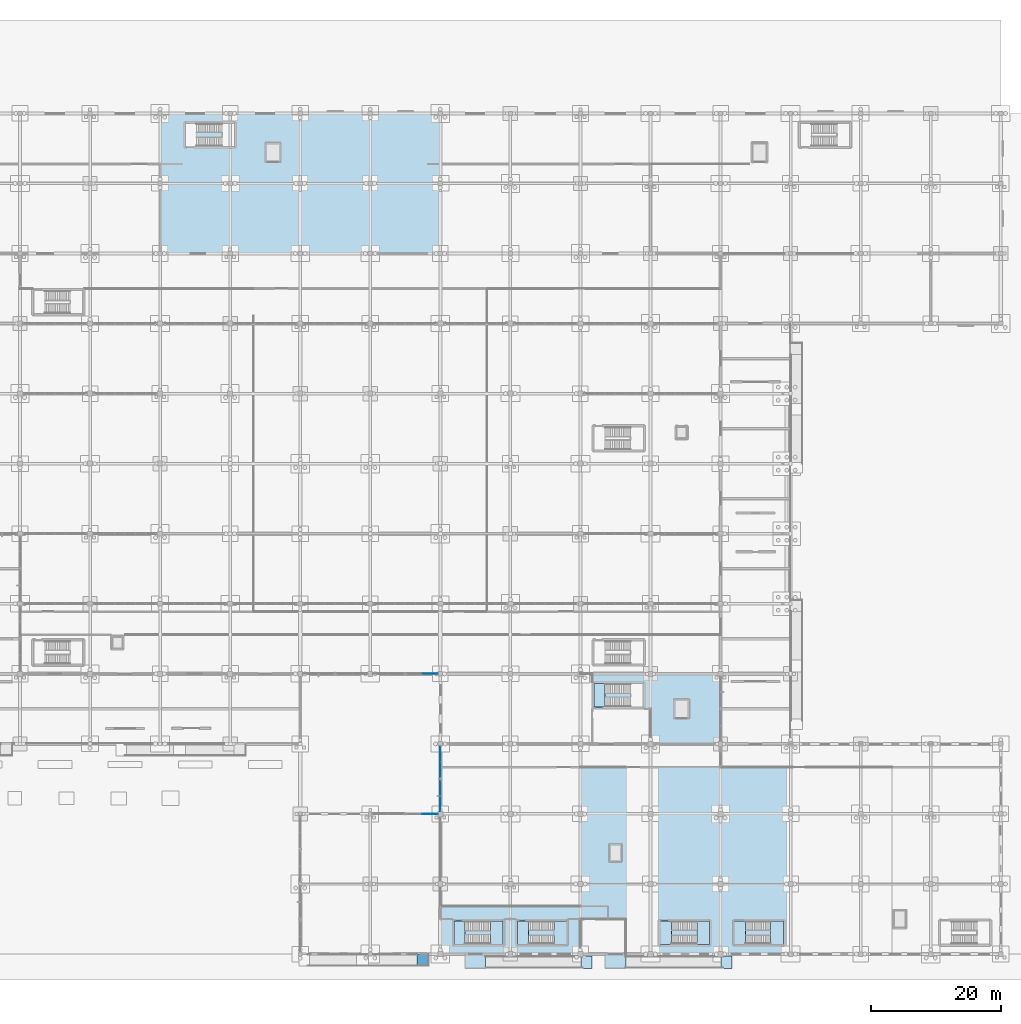
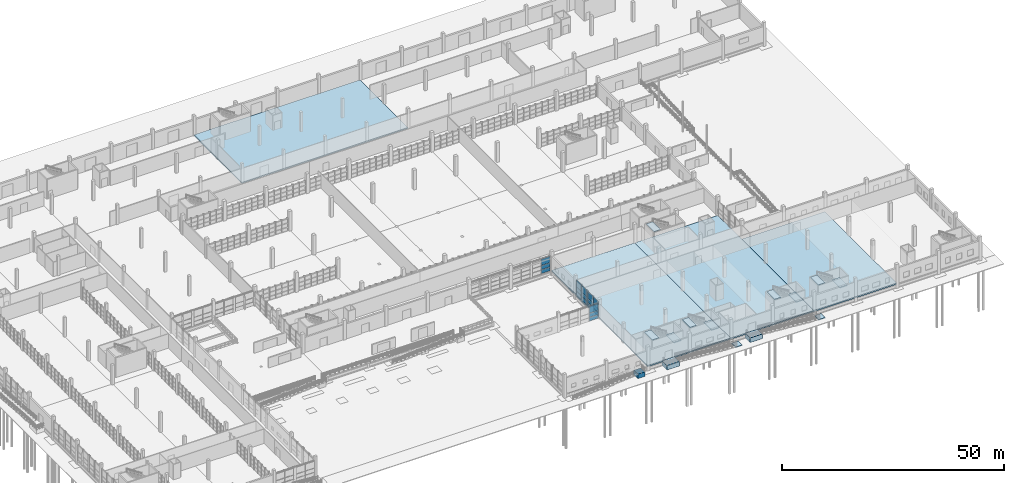
# One storey, part 92 of 138: 18 plates, 18 slabs, 10 elements without a shape of their own.
"""IFC4 building model written with IfcOpenShell, lengths in metres."""

from ifc_helpers import new_model, si_unit, direction, frame, origin, origin_2d, place, context, subcontext, project, spatial, polyline, rectangle, outline, extrude, material, layer, layer_set, type_object, element, aggregate, save


model = new_model("IFC4")

# Units and contexts
model_context = context("Model", 3, precision=1e-05, world=origin(), true_north=direction((0.0, 1.0)))
body_context = subcontext(model_context, "Body", "Model", "MODEL_VIEW")
ifc_project = project(units=[si_unit("LENGTHUNIT", "METRE"), si_unit("AREAUNIT", "SQUARE_METRE"), si_unit("VOLUMEUNIT", "CUBIC_METRE"), si_unit("PLANEANGLEUNIT", "RADIAN"), si_unit("MASSUNIT", "GRAM", prefix="KILO")], contexts=[model_context])

# Site, building, storey
site_placement = place(None, origin())
site = spatial("IfcSite", under=ifc_project, at=site_placement, CompositionType="ELEMENT")
building_placement = place(site_placement, origin())
building = spatial("IfcBuilding", under=site, at=building_placement, Name="Zwinboog Wholesale Market", CompositionType="ELEMENT")
storey_placement = place(building_placement, origin())
storey = spatial("IfcBuildingStorey", under=building, at=storey_placement, Name="L00", CompositionType="ELEMENT", Elevation=0.0)

# Slabs
ifc_material_1 = material(Name="Precast concrete C45/55", Category="concrete")
ifc_layer_1 = layer(ifc_material_1, 0.342041015625)
ifc_layer_set_1 = layer_set([ifc_layer_1], Name="Precast concrete C45/55")
slab_type_1 = type_object("IfcSlabType", Name="SLT-BS-310", PredefinedType="BASESLAB", material=ifc_layer_set_1)
slab_1_placement = place(storey_placement, frame((0.0, 0.0, -0.342041015625)))
element("IfcSlab", 1, at=slab_1_placement, inside=storey, type_object=slab_type_1, Name="SB-342 (SLB-L00-018)", PredefinedType="BASESLAB", context=body_context, shape_type="SweptSolid", body=[
    extrude(outline(polyline([(86.39990234375, 108.0), (129.60009765625, 108.0), (129.60009765625, 129.60009765625), (86.39990234375, 129.60009765625), (86.39990234375, 108.0)])), origin(), (0.0, 0.0, 1.0), 0.342041015625),
])
slab_2_placement = place(storey_placement, frame((0.0, 0.0, -0.342041015625)))
element("IfcSlab", 2, at=slab_2_placement, inside=storey, type_object=slab_type_1, Name="SB-342 (SLB-L00-025)", PredefinedType="BASESLAB", context=body_context, shape_type="SweptSolid", body=[
    extrude(outline(polyline([(129.60009765625, 0.0), (151.199951171875, 0.0), (151.199951171875, 43.199951171875), (129.60009765625, 43.199951171875), (129.60009765625, 0.0)])), origin(), (0.0, 0.0, 1.0), 0.342041015625),
])
ifc_layer_2 = layer(ifc_material_1, 0.35595703125)
ifc_layer_set_2 = layer_set([ifc_layer_2], Name="Precast concrete C45/55")
slab_type_2 = type_object("IfcSlabType", Name="SLT-BS-320", PredefinedType="BASESLAB", material=ifc_layer_set_2)
slab_3_placement = place(storey_placement, frame((0.0, 0.0, -0.35595703125)))
element("IfcSlab", 3, at=slab_3_placement, inside=storey, type_object=slab_type_2, Name="SB-356 (SLB-L00-022)", PredefinedType="BASESLAB", context=body_context, shape_type="SweptSolid", body=[
    extrude(outline(polyline([(172.800048828125, 0.0), (194.39990234375, 0.0), (194.39990234375, 32.39990234375), (172.800048828125, 32.39990234375), (172.800048828125, 0.0)])), origin(), (0.0, 0.0, 1.0), 0.35595703125),
])
ifc_layer_3 = layer(ifc_material_1, 0.3349609375)
ifc_layer_set_3 = layer_set([ifc_layer_3], Name="Precast concrete C45/55")
slab_type_3 = type_object("IfcSlabType", Name="SLT-BS-335", PredefinedType="BASESLAB", material=ifc_layer_set_3)
slab_4_placement = place(storey_placement, frame((0.0, 0.0, -0.3349609375)))
element("IfcSlab", 4, at=slab_4_placement, inside=storey, type_object=slab_type_3, Name="SB-335 (SLB-L00-026)", PredefinedType="BASESLAB", context=body_context, shape_type="SweptSolid", body=[
    extrude(outline(polyline([(151.199951171875, 0.0), (172.800048828125, 0.0), (172.800048828125, 43.199951171875), (151.199951171875, 43.199951171875), (151.199951171875, 0.0)])), origin(), (0.0, 0.0, 1.0), 0.3349609375),
])
ifc_material_2 = material(Name="Concrete C40/50", Category="concrete")
ifc_layer_4 = layer(ifc_material_2, 0.241943359375)
ifc_layer_set_4 = layer_set([ifc_layer_4], Name="Concrete C40/50")
slab_type_4 = type_object("IfcSlabType", Name="SLT-EX-242", PredefinedType="FLOOR", material=ifc_layer_set_4)
slab_5_placement = place(storey_placement, frame((0.0, 0.0, -1.25)))
element("IfcSlab", 5, at=slab_5_placement, inside=storey, type_object=slab_type_4, Name="ST-242 (SLB-STP-03)", PredefinedType="FLOOR", context=body_context, shape_type="SweptSolid", body=[
    extrude(outline(polyline([(133.39990234375, -2.199951171875), (136.60009765625, -2.199951171875), (136.60009765625, 0.0), (133.39990234375, 0.0), (133.39990234375, -2.199951171875)])), origin(), (0.0, 0.0, 1.0), 1.25),
])
slab_6_placement = place(storey_placement, frame((0.0, 0.0, -1.25)))
element("IfcSlab", 6, at=slab_6_placement, inside=storey, type_object=slab_type_4, Name="ST-242 (SLB-STP-04)", PredefinedType="FLOOR", context=body_context, shape_type="SweptSolid", body=[
    extrude(outline(polyline([(155.0, -2.199951171875), (158.199951171875, -2.199951171875), (158.199951171875, 0.0), (155.0, 0.0), (155.0, -2.199951171875)])), origin(), (0.0, 0.0, 1.0), 1.25),
])

# Curtain wall, plates
ifc_material_3 = material(Name="Aluminium thermally broken curtain wall", Category="aluminium")
curtain_wall_type_1 = type_object("IfcCurtainWallType", Name="CWT-OFF-15", PredefinedType="USERDEFINED", material=ifc_material_3)
curtain_wall_1_placement = place(storey_placement, origin())
curtain_wall_1 = element("IfcCurtainWall", 7, at=curtain_wall_1_placement, inside=storey, type_object=curtain_wall_type_1, Name="CW-06 (CW-L00-042)", ObjectType="UNITIZED_CURTAIN_WALL", PredefinedType="USERDEFINED")
ifc_material_4 = material(Name="Double low-e insulated glazing", Category="glass")
ifc_layer_5 = layer(ifc_material_4, 0.031982421875)
ifc_layer_set_5 = layer_set([ifc_layer_5], Name="Double low-e insulated glazing")
plate_type_1 = type_object("IfcPlateType", Name="CWP-IGU-32", PredefinedType="CURTAIN_PANEL", material=ifc_layer_set_5)
plate_1_placement = place(storey_placement, frame((128.007568359375, 21.60009765625, 0.06005859375), z_axis=(0.0, 0.0, 1.0), x_axis=(1.0, 0.0, 0.0)))
plate_1 = element("IfcPlate", 8, at=plate_1_placement, type_object=plate_type_1, Name="CW-06 panel 2.1", PredefinedType="CURTAIN_PANEL", context=body_context, shape_type="SweptSolid", body=[
    extrude(rectangle(XDim=2.324951171875, YDim=0.031982421875, at=origin_2d()), origin(), (0.0, 0.0, 1.0), 1.010009765625),
])
plate_2_placement = place(storey_placement, frame((128.007568359375, 21.60009765625, 1.1298828125), z_axis=(0.0, 0.0, 1.0), x_axis=(1.0, 0.0, 0.0)))
plate_2 = element("IfcPlate", 9, at=plate_2_placement, type_object=plate_type_1, Name="CW-06 panel 2.2", PredefinedType="CURTAIN_PANEL", context=body_context, shape_type="SweptSolid", body=[
    extrude(rectangle(XDim=2.324951171875, YDim=0.031982421875, at=origin_2d()), origin(), (0.0, 0.0, 1.0), 1.090087890625),
])
plate_3_placement = place(storey_placement, frame((128.007568359375, 21.60009765625, 2.280029296875), z_axis=(0.0, 0.0, 1.0), x_axis=(1.0, 0.0, 0.0)))
plate_3 = element("IfcPlate", 10, at=plate_3_placement, type_object=plate_type_1, Name="CW-06 panel 2.3", PredefinedType="CURTAIN_PANEL", context=body_context, shape_type="SweptSolid", body=[
    extrude(rectangle(XDim=2.324951171875, YDim=0.031982421875, at=origin_2d()), origin(), (0.0, 0.0, 1.0), 1.85791015625),
])
aggregate(curtain_wall_1, [plate_1, plate_2, plate_3])

curtain_wall_type_2 = type_object("IfcCurtainWallType", Name="CWT-HALL-24", PredefinedType="USERDEFINED", material=ifc_material_3)
curtain_wall_2_placement = place(storey_placement, origin())
curtain_wall_2 = element("IfcCurtainWall", 11, at=curtain_wall_2_placement, inside=storey, type_object=curtain_wall_type_2, Name="CW-03 (CW-L00-045)", ObjectType="UNITIZED_CURTAIN_WALL", PredefinedType="USERDEFINED")
plate_4_placement = place(storey_placement, frame((129.60009765625, 23.19384765625, 0.06494140625), z_axis=(0.0, 0.0, 1.0), x_axis=(0.0, 1.0, 0.0)))
plate_4 = element("IfcPlate", 12, at=plate_4_placement, type_object=plate_type_1, Name="CW-03 panel 1.1", PredefinedType="CURTAIN_PANEL", context=body_context, shape_type="SweptSolid", body=[
    extrude(rectangle(XDim=2.3173828125, YDim=0.031982421875, at=origin_2d()), origin(), (0.0, 0.0, 1.0), 1.00244140625),
])
plate_5_placement = place(storey_placement, frame((129.60009765625, 23.19384765625, 1.132568359375), z_axis=(0.0, 0.0, 1.0), x_axis=(0.0, 1.0, 0.0)))
plate_5 = element("IfcPlate", 13, at=plate_5_placement, type_object=plate_type_1, Name="CW-03 panel 1.2", PredefinedType="CURTAIN_PANEL", context=body_context, shape_type="SweptSolid", body=[
    extrude(rectangle(XDim=2.3173828125, YDim=0.031982421875, at=origin_2d()), origin(), (0.0, 0.0, 1.0), 1.0849609375),
])
plate_6_placement = place(storey_placement, frame((129.60009765625, 23.19384765625, 2.282470703125), z_axis=(0.0, 0.0, 1.0), x_axis=(0.0, 1.0, 0.0)))
plate_6 = element("IfcPlate", 14, at=plate_6_placement, type_object=plate_type_1, Name="CW-03 panel 1.3", PredefinedType="CURTAIN_PANEL", context=body_context, shape_type="SweptSolid", body=[
    extrude(rectangle(XDim=2.3173828125, YDim=0.031982421875, at=origin_2d()), origin(), (0.0, 0.0, 1.0), 1.8505859375),
])
plate_7_placement = place(storey_placement, frame((129.60009765625, 25.576171875, 0.06494140625), z_axis=(0.0, 0.0, 1.0), x_axis=(0.0, 1.0, 0.0)))
plate_7 = element("IfcPlate", 15, at=plate_7_placement, type_object=plate_type_1, Name="CW-03 panel 2.1", PredefinedType="CURTAIN_PANEL", context=body_context, shape_type="SweptSolid", body=[
    extrude(rectangle(XDim=2.3173828125, YDim=0.031982421875, at=origin_2d()), origin(), (0.0, 0.0, 1.0), 1.00244140625),
])
plate_8_placement = place(storey_placement, frame((129.60009765625, 25.576171875, 1.132568359375), z_axis=(0.0, 0.0, 1.0), x_axis=(0.0, 1.0, 0.0)))
plate_8 = element("IfcPlate", 16, at=plate_8_placement, type_object=plate_type_1, Name="CW-03 panel 2.2", PredefinedType="CURTAIN_PANEL", context=body_context, shape_type="SweptSolid", body=[
    extrude(rectangle(XDim=2.3173828125, YDim=0.031982421875, at=origin_2d()), origin(), (0.0, 0.0, 1.0), 1.0849609375),
])
plate_9_placement = place(storey_placement, frame((129.60009765625, 25.576171875, 2.282470703125), z_axis=(0.0, 0.0, 1.0), x_axis=(0.0, 1.0, 0.0)))
plate_9 = element("IfcPlate", 17, at=plate_9_placement, type_object=plate_type_1, Name="CW-03 panel 2.3", PredefinedType="CURTAIN_PANEL", context=body_context, shape_type="SweptSolid", body=[
    extrude(rectangle(XDim=2.3173828125, YDim=0.031982421875, at=origin_2d()), origin(), (0.0, 0.0, 1.0), 1.8505859375),
])
aggregate(curtain_wall_2, [plate_4, plate_5, plate_6, plate_7, plate_8, plate_9])

curtain_wall_type_3 = type_object("IfcCurtainWallType", Name="CWT-GAL-16", PredefinedType="USERDEFINED", material=ifc_material_3)
curtain_wall_3_placement = place(storey_placement, origin())
curtain_wall_3 = element("IfcCurtainWall", 18, at=curtain_wall_3_placement, inside=storey, type_object=curtain_wall_type_3, Name="CW-04 (CW-L00-046)", ObjectType="UNITIZED_CURTAIN_WALL", PredefinedType="USERDEFINED")
plate_10_placement = place(storey_placement, frame((129.60009765625, 28.4287109375, 0.06005859375), z_axis=(0.0, 0.0, 1.0), x_axis=(0.0, 1.0, 0.0)))
plate_10 = element("IfcPlate", 19, at=plate_10_placement, type_object=plate_type_1, Name="CW-04 panel 1.1", PredefinedType="CURTAIN_PANEL", context=body_context, shape_type="SweptSolid", body=[
    extrude(rectangle(XDim=2.33740234375, YDim=0.031982421875, at=origin_2d()), origin(), (0.0, 0.0, 1.0), 1.010009765625),
])
plate_11_placement = place(storey_placement, frame((129.60009765625, 28.4287109375, 1.1298828125), z_axis=(0.0, 0.0, 1.0), x_axis=(0.0, 1.0, 0.0)))
plate_11 = element("IfcPlate", 20, at=plate_11_placement, type_object=plate_type_1, Name="CW-04 panel 1.2", PredefinedType="CURTAIN_PANEL", context=body_context, shape_type="SweptSolid", body=[
    extrude(rectangle(XDim=2.33740234375, YDim=0.031982421875, at=origin_2d()), origin(), (0.0, 0.0, 1.0), 1.090087890625),
])
plate_12_placement = place(storey_placement, frame((129.60009765625, 28.4287109375, 2.280029296875), z_axis=(0.0, 0.0, 1.0), x_axis=(0.0, 1.0, 0.0)))
plate_12 = element("IfcPlate", 21, at=plate_12_placement, type_object=plate_type_1, Name="CW-04 panel 1.3", PredefinedType="CURTAIN_PANEL", context=body_context, shape_type="SweptSolid", body=[
    extrude(rectangle(XDim=2.33740234375, YDim=0.031982421875, at=origin_2d()), origin(), (0.0, 0.0, 1.0), 1.85791015625),
])
plate_13_placement = place(storey_placement, frame((129.60009765625, 30.826171875, 0.06005859375), z_axis=(0.0, 0.0, 1.0), x_axis=(0.0, 1.0, 0.0)))
plate_13 = element("IfcPlate", 22, at=plate_13_placement, type_object=plate_type_1, Name="CW-04 panel 2.1", PredefinedType="CURTAIN_PANEL", context=body_context, shape_type="SweptSolid", body=[
    extrude(rectangle(XDim=2.33740234375, YDim=0.031982421875, at=origin_2d()), origin(), (0.0, 0.0, 1.0), 1.010009765625),
])
plate_14_placement = place(storey_placement, frame((129.60009765625, 30.826171875, 1.1298828125), z_axis=(0.0, 0.0, 1.0), x_axis=(0.0, 1.0, 0.0)))
plate_14 = element("IfcPlate", 23, at=plate_14_placement, type_object=plate_type_1, Name="CW-04 panel 2.2", PredefinedType="CURTAIN_PANEL", context=body_context, shape_type="SweptSolid", body=[
    extrude(rectangle(XDim=2.33740234375, YDim=0.031982421875, at=origin_2d()), origin(), (0.0, 0.0, 1.0), 1.090087890625),
])
plate_15_placement = place(storey_placement, frame((129.60009765625, 30.826171875, 2.280029296875), z_axis=(0.0, 0.0, 1.0), x_axis=(0.0, 1.0, 0.0)))
plate_15 = element("IfcPlate", 24, at=plate_15_placement, type_object=plate_type_1, Name="CW-04 panel 2.3", PredefinedType="CURTAIN_PANEL", context=body_context, shape_type="SweptSolid", body=[
    extrude(rectangle(XDim=2.33740234375, YDim=0.031982421875, at=origin_2d()), origin(), (0.0, 0.0, 1.0), 1.85791015625),
])
aggregate(curtain_wall_3, [plate_10, plate_11, plate_12, plate_13, plate_14, plate_15])

curtain_wall_type_4 = type_object("IfcCurtainWallType", Name="CWT-STALL-20", PredefinedType="USERDEFINED", material=ifc_material_3)
curtain_wall_4_placement = place(storey_placement, origin())
curtain_wall_4 = element("IfcCurtainWall", 25, at=curtain_wall_4_placement, inside=storey, type_object=curtain_wall_type_4, Name="CW-02 (CW-L00-044)", ObjectType="STOREFRONT_GLAZING", PredefinedType="USERDEFINED")
ifc_material_5 = material(Name="Triple solar-control insulated glazing", Category="glass")
ifc_layer_6 = layer(ifc_material_5, 0.0380859375)
ifc_layer_set_6 = layer_set([ifc_layer_6], Name="Triple solar-control insulated glazing")
plate_type_2 = type_object("IfcPlateType", Name="CWP-IGU-38", PredefinedType="CURTAIN_PANEL", material=ifc_layer_set_6)
plate_16_placement = place(storey_placement, frame((128.0263671875, 43.199951171875, 0.06005859375), z_axis=(0.0, 0.0, 1.0), x_axis=(1.0, 0.0, 0.0)))
plate_16 = element("IfcPlate", 26, at=plate_16_placement, type_object=plate_type_2, Name="CW-02 panel 2.1", PredefinedType="CURTAIN_PANEL", context=body_context, shape_type="SweptSolid", body=[
    extrude(rectangle(XDim=2.33740234375, YDim=0.0380859375, at=origin_2d()), origin(), (0.0, 0.0, 1.0), 1.010009765625),
])
plate_17_placement = place(storey_placement, frame((128.0263671875, 43.199951171875, 1.1298828125), z_axis=(0.0, 0.0, 1.0), x_axis=(1.0, 0.0, 0.0)))
plate_17 = element("IfcPlate", 27, at=plate_17_placement, type_object=plate_type_2, Name="CW-02 panel 2.2", PredefinedType="CURTAIN_PANEL", context=body_context, shape_type="SweptSolid", body=[
    extrude(rectangle(XDim=2.33740234375, YDim=0.0380859375, at=origin_2d()), origin(), (0.0, 0.0, 1.0), 1.090087890625),
])
plate_18_placement = place(storey_placement, frame((128.0263671875, 43.199951171875, 2.27978515625), z_axis=(0.0, 0.0, 1.0), x_axis=(1.0, 0.0, 0.0)))
plate_18 = element("IfcPlate", 28, at=plate_18_placement, type_object=plate_type_2, Name="CW-02 panel 2.3", PredefinedType="CURTAIN_PANEL", context=body_context, shape_type="SweptSolid", body=[
    extrude(rectangle(XDim=2.33740234375, YDim=0.0380859375, at=origin_2d()), origin(), (0.0, 0.0, 1.0), 1.758056640625),
])
aggregate(curtain_wall_4, [plate_16, plate_17, plate_18])

# Stair, slabs
stair_type_1 = type_object("IfcStairType", Name="STT-DOG-145", PredefinedType="HALF_TURN_STAIR", material=ifc_material_2)
stair_1_placement = place(storey_placement, origin())
stair_1 = element("IfcStair", 29, at=stair_1_placement, inside=storey, type_object=stair_type_1, Name="Enclosed Escape Stair ST-09A", PredefinedType="HALF_TURN_STAIR")
ifc_layer_7 = layer(ifc_material_2, 0.199951171875)
ifc_layer_set_7 = layer_set([ifc_layer_7], Name="Concrete C40/50")
slab_type_5 = type_object("IfcSlabType", Name="SLT-LND-200", PredefinedType="LANDING", material=ifc_layer_set_7)
slab_7_placement = place(storey_placement, frame((0.0, 0.0, 2.5)))
slab_7 = element("IfcSlab", 30, at=slab_7_placement, type_object=slab_type_5, Name="ST-09A landing 1", PredefinedType="LANDING", context=body_context, shape_type="SweptSolid", body=[
    extrude(outline(polyline([(180.5400390625, 1.5048828125), (182.4951171875, 1.5048828125), (182.4951171875, 5.094970703125), (180.5400390625, 5.094970703125), (180.5400390625, 1.5048828125)])), origin(), (0.0, 0.0, 1.0), 0.199951171875),
])
slab_8_placement = place(storey_placement, frame((0.0, 0.0, 5.199951171875)))
slab_8 = element("IfcSlab", 31, at=slab_8_placement, type_object=slab_type_5, Name="ST-09A landing 2", PredefinedType="LANDING", context=body_context, shape_type="SweptSolid", body=[
    extrude(outline(polyline([(174.905029296875, 1.5048828125), (176.6201171875, 1.5048828125), (176.6201171875, 5.094970703125), (174.905029296875, 5.094970703125), (174.905029296875, 1.5048828125)])), origin(), (0.0, 0.0, 1.0), 0.199951171875),
])
aggregate(stair_1, [slab_7, slab_8])

stair_2_placement = place(storey_placement, origin())
stair_2 = element("IfcStair", 32, at=stair_2_placement, inside=storey, type_object=stair_type_1, Name="Enclosed Escape Stair ST-11A", PredefinedType="HALF_TURN_STAIR")
slab_9_placement = place(storey_placement, frame((0.0, 0.0, 2.5)))
slab_9 = element("IfcSlab", 33, at=slab_9_placement, type_object=slab_type_5, Name="ST-11A landing 1", PredefinedType="LANDING", context=body_context, shape_type="SweptSolid", body=[
    extrude(outline(polyline([(169.139892578125, 1.5048828125), (171.094970703125, 1.5048828125), (171.094970703125, 5.094970703125), (169.139892578125, 5.094970703125), (169.139892578125, 1.5048828125)])), origin(), (0.0, 0.0, 1.0), 0.199951171875),
])
slab_10_placement = place(storey_placement, frame((0.0, 0.0, 5.199951171875)))
slab_10 = element("IfcSlab", 34, at=slab_10_placement, type_object=slab_type_5, Name="ST-11A landing 2", PredefinedType="LANDING", context=body_context, shape_type="SweptSolid", body=[
    extrude(outline(polyline([(163.5048828125, 1.5048828125), (165.219970703125, 1.5048828125), (165.219970703125, 5.094970703125), (163.5048828125, 5.094970703125), (163.5048828125, 1.5048828125)])), origin(), (0.0, 0.0, 1.0), 0.199951171875),
])
aggregate(stair_2, [slab_9, slab_10])

stair_3_placement = place(storey_placement, origin())
stair_3 = element("IfcStair", 35, at=stair_3_placement, inside=storey, type_object=stair_type_1, Name="Enclosed Escape Stair ST-13A", PredefinedType="HALF_TURN_STAIR")
slab_11_placement = place(storey_placement, frame((0.0, 0.0, 2.5)))
slab_11 = element("IfcSlab", 36, at=slab_11_placement, type_object=slab_type_5, Name="ST-13A landing 1", PredefinedType="LANDING", context=body_context, shape_type="SweptSolid", body=[
    extrude(outline(polyline([(147.139892578125, 1.5048828125), (149.094970703125, 1.5048828125), (149.094970703125, 5.094970703125), (147.139892578125, 5.094970703125), (147.139892578125, 1.5048828125)])), origin(), (0.0, 0.0, 1.0), 0.199951171875),
])
slab_12_placement = place(storey_placement, frame((0.0, 0.0, 5.199951171875)))
slab_12 = element("IfcSlab", 37, at=slab_12_placement, type_object=slab_type_5, Name="ST-13A landing 2", PredefinedType="LANDING", context=body_context, shape_type="SweptSolid", body=[
    extrude(outline(polyline([(141.5048828125, 1.5048828125), (143.219970703125, 1.5048828125), (143.219970703125, 5.094970703125), (141.5048828125, 5.094970703125), (141.5048828125, 1.5048828125)])), origin(), (0.0, 0.0, 1.0), 0.199951171875),
])
aggregate(stair_3, [slab_11, slab_12])

# Slabs
ifc_layer_8 = layer(ifc_material_2, 0.219970703125)
ifc_layer_set_8 = layer_set([ifc_layer_8], Name="Concrete C40/50")
slab_type_6 = type_object("IfcSlabType", Name="SLT-LND-220", PredefinedType="LANDING", material=ifc_layer_set_8)
slab_13_placement = place(storey_placement, frame((0.0, 0.0, -1.419921875)))
element("IfcSlab", 38, at=slab_13_placement, inside=storey, type_object=slab_type_6, Name="SL-220 (SLB-STP-03-TOE)", PredefinedType="LANDING", context=body_context, shape_type="SweptSolid", body=[
    extrude(outline(polyline([(151.300048828125, -2.199951171875), (153.0, -2.199951171875), (153.0, -0.320068359375), (151.300048828125, -0.320068359375), (151.300048828125, -2.199951171875)])), origin(), (0.0, 0.0, 1.0), 0.219970703125),
])
slab_14_placement = place(storey_placement, frame((0.0, 0.0, -1.419921875)))
element("IfcSlab", 39, at=slab_14_placement, inside=storey, type_object=slab_type_6, Name="SL-220 (SLB-STP-04-TOE)", PredefinedType="LANDING", context=body_context, shape_type="SweptSolid", body=[
    extrude(outline(polyline([(172.89990234375, -2.199951171875), (174.60009765625, -2.199951171875), (174.60009765625, -0.320068359375), (172.89990234375, -0.320068359375), (172.89990234375, -2.199951171875)])), origin(), (0.0, 0.0, 1.0), 0.219970703125),
])

# Stair, slabs
stair_type_2 = type_object("IfcStairType", Name="STT-DOG-160", PredefinedType="HALF_TURN_STAIR", material=ifc_material_2)
stair_4_placement = place(storey_placement, origin())
stair_4 = element("IfcStair", 40, at=stair_4_placement, inside=storey, type_object=stair_type_2, Name="Enclosed Escape Stair ST-10A", PredefinedType="HALF_TURN_STAIR")
slab_15_placement = place(storey_placement, frame((0.0, 0.0, 2.47998046875)))
slab_15 = element("IfcSlab", 41, at=slab_15_placement, type_object=slab_type_6, Name="ST-10A landing 1", PredefinedType="LANDING", context=body_context, shape_type="SweptSolid", body=[
    extrude(outline(polyline([(137.340087890625, 1.5048828125), (139.294921875, 1.5048828125), (139.294921875, 5.094970703125), (137.340087890625, 5.094970703125), (137.340087890625, 1.5048828125)])), origin(), (0.0, 0.0, 1.0), 0.219970703125),
])
slab_16_placement = place(storey_placement, frame((0.0, 0.0, 5.179931640625)))
slab_16 = element("IfcSlab", 42, at=slab_16_placement, type_object=slab_type_6, Name="ST-10A landing 2", PredefinedType="LANDING", context=body_context, shape_type="SweptSolid", body=[
    extrude(outline(polyline([(131.705078125, 1.5048828125), (133.419921875, 1.5048828125), (133.419921875, 5.094970703125), (131.705078125, 5.094970703125), (131.705078125, 1.5048828125)])), origin(), (0.0, 0.0, 1.0), 0.219970703125),
])
aggregate(stair_4, [slab_15, slab_16])

# Stair, slab
stair_5_placement = place(storey_placement, origin())
stair_5 = element("IfcStair", 43, at=stair_5_placement, inside=storey, type_object=stair_type_2, Name="Enclosed Escape Stair ST-12A", PredefinedType="HALF_TURN_STAIR")
slab_17_placement = place(storey_placement, frame((0.0, 0.0, 5.179931640625)))
slab_17 = element("IfcSlab", 44, at=slab_17_placement, type_object=slab_type_6, Name="ST-12A landing 2", PredefinedType="LANDING", context=body_context, shape_type="SweptSolid", body=[
    extrude(outline(polyline([(153.304931640625, 38.10498046875), (155.02001953125, 38.10498046875), (155.02001953125, 41.695068359375), (153.304931640625, 41.695068359375), (153.304931640625, 38.10498046875)])), origin(), (0.0, 0.0, 1.0), 0.219970703125),
])
aggregate(stair_5, [slab_17])

# Ramp, slab
ramp_type = type_object("IfcRampType", Name="RMPT-PLINTH", PredefinedType="HALF_TURN_RAMP", material=ifc_material_2)
ramp_placement = place(storey_placement, origin())
ramp = element("IfcRamp", 45, at=ramp_placement, inside=storey, type_object=ramp_type, Name="Park Cafe South Accessible Ramp", PredefinedType="HALF_TURN_RAMP")
slab_18_placement = place(storey_placement, frame((0.0, 0.0, -1.25)))
slab_18 = element("IfcSlab", 46, at=slab_18_placement, type_object=slab_type_6, Name="RMP-03-L2 (RMP-03-LTOP)", PredefinedType="LANDING", context=body_context, shape_type="SweptSolid", body=[
    extrude(outline(polyline([(126.0, -1.85009765625), (127.800048828125, -1.85009765625), (127.800048828125, 0.02001953125), (126.0, 0.02001953125), (126.0, -1.85009765625)])), origin(), (0.0, 0.0, 1.0), 1.25),
])
aggregate(ramp, [slab_18])

save(model, "model.ifc")
